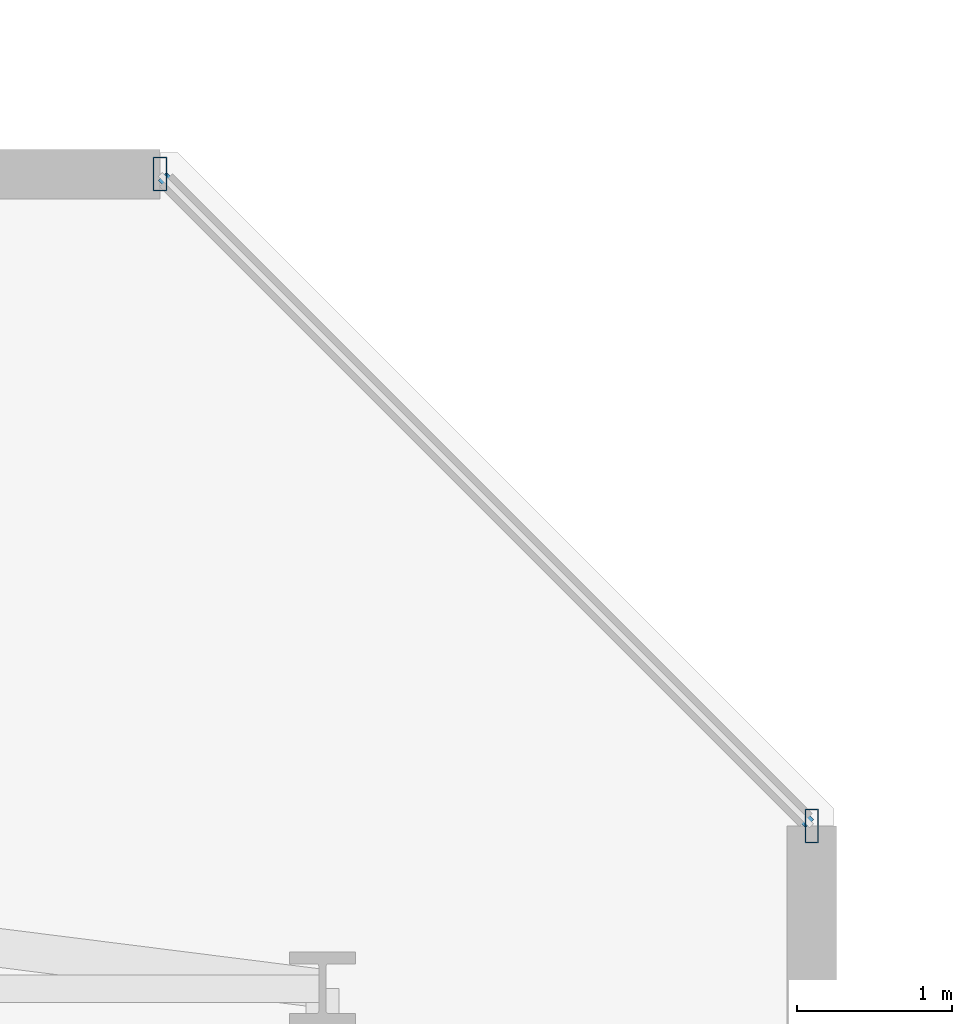
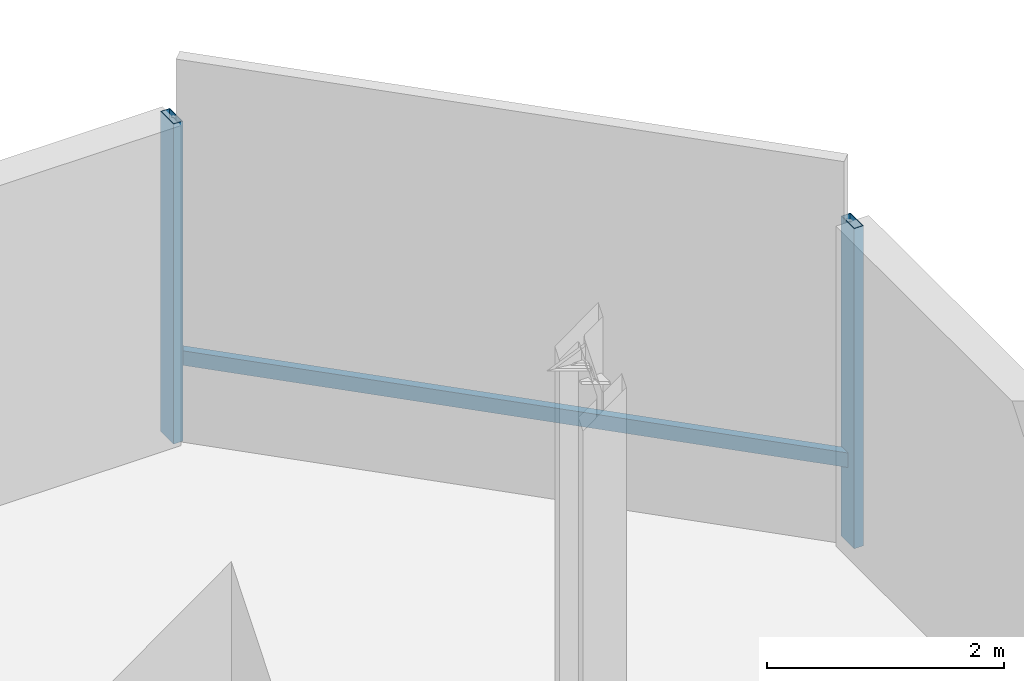
# One storey, part 9 of 33: 3 members, 1 element without a shape of its own.
"""IFC4 building model written with IfcOpenShell, lengths in metres."""

import ifcopenshell
import ifcopenshell.guid

model = None  # the IFC model being written
_history = None  # IfcOwnerHistory: only IFC2X3 demands one
_inside = {}  # id of a spatial element -> (the spatial element, [elements in it])
_under = {}  # id of a project, library or spatial element -> (it, [spatial elements below it])
_declared = {}  # id of a project -> (the project, [libraries it declares])
_typed = {}  # id of a type object -> (the type object, [elements of that type])
_made_of = {}  # id of a material, layer set ... -> (it, [elements and type objects made of it])


def new_model(schema):
    """Start an empty IFC model of exactly this schema.

    Asked for "IFC4X3", IfcOpenShell would pick the latest addendum, in which some entities
    have other attributes; the version numbers below select the first issue.
    IFC2X3 requires an IfcOwnerHistory on every rooted entity: one is made here for all.
    """
    global model, _history
    if schema == "IFC4X3":
        model = ifcopenshell.file(schema_version=(4, 3, 0, 0))
    else:
        model = ifcopenshell.file(schema=schema)
    _inside.clear()
    _under.clear()
    _declared.clear()
    _typed.clear()
    _made_of.clear()
    _history = None
    if model.schema == "IFC2X3":
        org = make("IfcOrganization", Name="unknown")
        user = make(
            "IfcPersonAndOrganization",
            ThePerson=make("IfcPerson", FamilyName="unknown"),
            TheOrganization=org,
        )
        app = make(
            "IfcApplication",
            ApplicationDeveloper=org,
            Version="unknown",
            ApplicationFullName="unknown",
            ApplicationIdentifier="unknown",
        )
        _history = make(
            "IfcOwnerHistory",
            OwningUser=user,
            OwningApplication=app,
            ChangeAction="ADDED",
            CreationDate=0,
        )
    return model


def make(cls, **values):
    """One entity of the class cls with the attributes given. An attribute that is None is left unset."""
    return model.create_entity(
        cls, **{name: value for name, value in values.items() if value is not None}
    )


def rooted(cls, **values):
    """An entity with a GlobalId (a new one), such as an element, a storey or a relation."""
    return make(cls, GlobalId=ifcopenshell.guid.new(), OwnerHistory=_history, **values)


def si_unit(unit_type, name, prefix=None):
    """IfcSIUnit, for example si_unit("LENGTHUNIT", "METRE", prefix="MILLI")."""
    return make("IfcSIUnit", UnitType=unit_type, Prefix=prefix, Name=name)


def assignment(units):
    """IfcUnitAssignment: the units of a project."""
    return None if units is None else make("IfcUnitAssignment", Units=units)


def point(xyz):
    """IfcCartesianPoint."""
    return None if xyz is None else make("IfcCartesianPoint", Coordinates=xyz)


def direction(xyz):
    """IfcDirection."""
    return None if xyz is None else make("IfcDirection", DirectionRatios=xyz)


def frame(location, z_axis=None, x_axis=None):
    """IfcAxis2Placement3D, a coordinate frame: its origin and axes. An axis left out is left unset."""
    return make(
        "IfcAxis2Placement3D",
        Location=point(location),
        Axis=direction(z_axis),
        RefDirection=direction(x_axis),
    )


def frame_2d(location, x_axis=None):
    """IfcAxis2Placement2D, a coordinate frame in the plane: its origin and x axis."""
    return make(
        "IfcAxis2Placement2D", Location=point(location), RefDirection=direction(x_axis)
    )


def origin():
    """The frame at (0, 0, 0) with its axes left unset."""
    return frame((0.0, 0.0, 0.0))


def origin_2d():
    """The frame at (0, 0) in the plane with its x axis left unset."""
    return frame_2d((0.0, 0.0))


def place(relative_to, where):
    """IfcLocalPlacement: puts the frame where relative to a parent placement (None: the world)."""
    return make(
        "IfcLocalPlacement", PlacementRelTo=relative_to, RelativePlacement=where
    )


def context(
    kind, dimensions, precision=None, world=None, true_north=None, identifier=None
):
    """IfcGeometricRepresentationContext, for example the 3D "Model" context."""
    return make(
        "IfcGeometricRepresentationContext",
        ContextIdentifier=identifier,
        ContextType=kind,
        CoordinateSpaceDimension=dimensions,
        Precision=precision,
        WorldCoordinateSystem=world,
        TrueNorth=true_north,
    )


def subcontext(parent, identifier, kind, view, scale=None):
    """IfcGeometricRepresentationSubContext, for example "Body" below "Model"."""
    return make(
        "IfcGeometricRepresentationSubContext",
        ContextIdentifier=identifier,
        ContextType=kind,
        ParentContext=parent,
        TargetScale=scale,
        TargetView=view,
    )


def project(units=None, contexts=None):
    """IfcProject with its units and contexts."""
    return rooted(
        "IfcProject",
        Name="project",
        RepresentationContexts=contexts,
        UnitsInContext=assignment(units),
    )


def spatial(cls, under=None, at=None, **own):
    """A site, building, storey or space (cls), placed at a placement, below another one or the project."""
    s = rooted(cls, ObjectPlacement=at, **own)
    if under is not None:
        _under.setdefault(under.id(), (under, []))[1].append(s)
    return s


def profile(cls, at=None, kind="AREA", **sizes):
    """A parametric profile (cls). Its sizes go by their IFC names, for example OverallWidth=200.0."""
    return make(cls, ProfileType=kind, Position=at, **sizes)


def hollow_rectangle(**sizes):
    """IfcRectangleHollowProfileDef."""
    return profile("IfcRectangleHollowProfileDef", **sizes)


def extrude(swept, where, along, depth):
    """IfcExtrudedAreaSolid: the profile swept, set in the frame where, extruded along a direction by depth."""
    return make(
        "IfcExtrudedAreaSolid",
        SweptArea=swept,
        Position=where,
        ExtrudedDirection=direction(along),
        Depth=depth,
    )


def shape(context_of_items, identifier, shape_type, items):
    """IfcShapeRepresentation: the items that make up one representation, for example the "Body"."""
    return make(
        "IfcShapeRepresentation",
        ContextOfItems=context_of_items,
        RepresentationIdentifier=identifier,
        RepresentationType=shape_type,
        Items=items,
    )


def material(Name=None, Category=None):
    """IfcMaterial."""
    return make("IfcMaterial", Name=Name, Category=Category)


def material_profile(
    of_material, cross_section, Name=None, Category=None, Priority=None
):
    """IfcMaterialProfile: a cross section and its material."""
    return make(
        "IfcMaterialProfile",
        Name=Name,
        Material=of_material,
        Profile=cross_section,
        Priority=Priority,
        Category=Category,
    )


def profile_set(profiles, Name=None, composite=None):
    """IfcMaterialProfileSet."""
    return make(
        "IfcMaterialProfileSet",
        Name=Name,
        MaterialProfiles=profiles,
        CompositeProfile=composite,
    )


def made_of(thing, what):
    """Note that an element or type object is made of a material, layer set ...; save() writes the relation."""
    if what is not None:
        _made_of.setdefault(what.id(), (what, []))[1].append(thing)
    return thing


def type_object(cls, material=None, **own):
    """A type object (cls), such as IfcWallType, which elements share."""
    return made_of(rooted(cls, **own), material)


def element(
    cls,
    number,
    at=None,
    inside=None,
    cuts=None,
    type_object=None,
    material=None,
    context=None,
    identifier="Body",
    shape_type=None,
    held_by="IfcProductDefinitionShape",
    body=None,
    shapes=None,
    **own,
):
    """One element of the class cls, such as IfcWall. Its Tag is "e" and its number.

    at: its placement. inside: the storey or other place that contains it. cuts: it is an
    opening in that element (IfcRelVoidsElement). A single representation is given by context,
    identifier, shape_type and body (its items); several are given by shapes. held_by: the class
    of the entity that holds the representations. save() writes the other relations.
    """
    e = rooted(cls, Tag="e%d" % number, ObjectPlacement=at, **own)
    if body is not None:
        shapes = [shape(context, identifier, shape_type, body)]
    if shapes is not None:
        e.Representation = make(held_by, Representations=shapes)
    if inside is not None:
        _inside.setdefault(inside.id(), (inside, []))[1].append(e)
    if cuts is not None:
        rooted(
            "IfcRelVoidsElement", RelatingBuildingElement=cuts, RelatedOpeningElement=e
        )
    if type_object is not None:
        _typed.setdefault(type_object.id(), (type_object, []))[1].append(e)
    return made_of(e, material)


def aggregate(whole, parts):
    """IfcRelAggregates: a whole, such as a stair, and the parts it consists of."""
    return rooted("IfcRelAggregates", RelatingObject=whole, RelatedObjects=parts)


def save(model, path):
    """Write the relations noted so far, then the file.

    IfcRelAggregates (storeys below a building ...), IfcRelContainedInSpatialStructure (elements
    in a storey), IfcRelDefinesByType, IfcRelAssociatesMaterial and IfcRelDeclares: one each for
    every whole, place, type object, material and project.
    """
    for whole, parts in _under.values():
        aggregate(whole, parts)
    for where, things in _inside.values():
        rooted(
            "IfcRelContainedInSpatialStructure",
            RelatedElements=things,
            RelatingStructure=where,
        )
    for kind, things in _typed.values():
        rooted("IfcRelDefinesByType", RelatedObjects=things, RelatingType=kind)
    for what, things in _made_of.values():
        rooted("IfcRelAssociatesMaterial", RelatedObjects=things, RelatingMaterial=what)
    for by, libraries in _declared.values():
        rooted("IfcRelDeclares", RelatingContext=by, RelatedDefinitions=libraries)
    model.write(path)


model = new_model("IFC4")

# Units and contexts
model_context = context("Model", 3, precision=1e-05, world=origin(), true_north=direction((0.0, 1.0)))
body_context = subcontext(model_context, "Body", "Model", "MODEL_VIEW")
ifc_project = project(units=[si_unit("LENGTHUNIT", "METRE"), si_unit("AREAUNIT", "SQUARE_METRE"), si_unit("VOLUMEUNIT", "CUBIC_METRE"), si_unit("PLANEANGLEUNIT", "RADIAN"), si_unit("MASSUNIT", "GRAM", prefix="KILO")], contexts=[model_context])

# Site, building, storey
site_placement = place(None, origin())
site = spatial("IfcSite", under=ifc_project, at=site_placement, CompositionType="ELEMENT")
building_placement = place(site_placement, origin())
building = spatial("IfcBuilding", under=site, at=building_placement, Name="Thornwick Lancets Civic Towers", CompositionType="ELEMENT")
storey_placement = place(building_placement, frame((0.0, 0.0, 49.5)))
storey = spatial("IfcBuildingStorey", under=building, at=storey_placement, Name="L12", CompositionType="ELEMENT", Elevation=49.5)

# Curtain wall, members
ifc_material_1 = material(Name="Low-zone chamfered-corner unitised glass curtain wall", Category="glass")
curtain_wall_type = type_object("IfcCurtainWallType", Name="CW_SYS_03", PredefinedType="NOTDEFINED", material=ifc_material_1)
curtain_wall_placement = place(storey_placement, origin())
curtain_wall = element("IfcCurtainWall", 1, at=curtain_wall_placement, inside=storey, type_object=curtain_wall_type, Name="L12 Curtain Wall CW-L12-A-E3", PredefinedType="NOTDEFINED")
ifc_material_2 = material(Name="Thermally broken bronze aluminium S355", Category="steel")
ifc_material_profile_1 = material_profile(ifc_material_2, hollow_rectangle(XDim=0.090087890625, YDim=0.219970703125, WallThickness=0.00634765625, at=origin_2d()), Name="RHS 220x90x6.3")
ifc_profile_set_1 = profile_set([ifc_material_profile_1], Name="Thermally broken bronze aluminium S355")
member_type_1 = type_object("IfcMemberType", Name="CW_MUL_220", PredefinedType="MULLION", material=ifc_profile_set_1)
member_1_placement = place(storey_placement, frame((49.759521484375, 41.051513671875, 0.0), z_axis=(0.0, 0.0, 1.0), x_axis=(1.0, 0.0, 0.0)))
member_1 = element("IfcMember", 2, at=member_1_placement, type_object=member_type_1, Name="CW-L12-A-E3 Mullion 0", PredefinedType="MULLION", context=body_context, shape_type="SweptSolid", body=[
    extrude(hollow_rectangle(XDim=0.090087890625, YDim=0.219970703125, WallThickness=0.00634765625, at=origin_2d()), origin(), (0.0, 0.0, 1.0), 3.300048828125),
])
member_2_placement = place(storey_placement, frame((45.551513671875, 45.259521484375, 0.0), z_axis=(0.0, 0.0, 1.0), x_axis=(1.0, 0.0, 0.0)))
member_2 = element("IfcMember", 3, at=member_2_placement, type_object=member_type_1, Name="CW-L12-A-E3 Mullion 1", PredefinedType="MULLION", context=body_context, shape_type="SweptSolid", body=[
    extrude(hollow_rectangle(XDim=0.090087890625, YDim=0.219970703125, WallThickness=0.00634765625, at=origin_2d()), origin(), (0.0, 0.0, 1.0), 3.300048828125),
])
ifc_material_profile_2 = material_profile(ifc_material_2, hollow_rectangle(XDim=0.074951171875, YDim=0.14990234375, WallThickness=0.0048828125, at=origin_2d()), Name="RHS 150x75x5")
ifc_profile_set_2 = profile_set([ifc_material_profile_2], Name="Thermally broken bronze aluminium S355")
member_type_2 = type_object("IfcMemberType", Name="CW_TRN_150", PredefinedType="USERDEFINED", material=ifc_profile_set_2)
member_3_placement = place(storey_placement, frame((49.74560546875, 41.0654296875, 0.85009765625), z_axis=(-0.707106781187, 0.707106781187, 0.0), x_axis=(-0.707106781187, -0.707106781187, 0.0)))
member_3 = element("IfcMember", 4, at=member_3_placement, type_object=member_type_2, Name="CW-L12-A-E3 Transom 0", ObjectType="TRANSOM", PredefinedType="USERDEFINED", context=body_context, shape_type="SweptSolid", body=[
    extrude(hollow_rectangle(XDim=0.074951171875, YDim=0.14990234375, WallThickness=0.0048828125, at=origin_2d()), origin(), (0.0, 0.0, 1.0), 5.91162109375),
])
aggregate(curtain_wall, [member_1, member_2, member_3])

save(model, "model.ifc")
